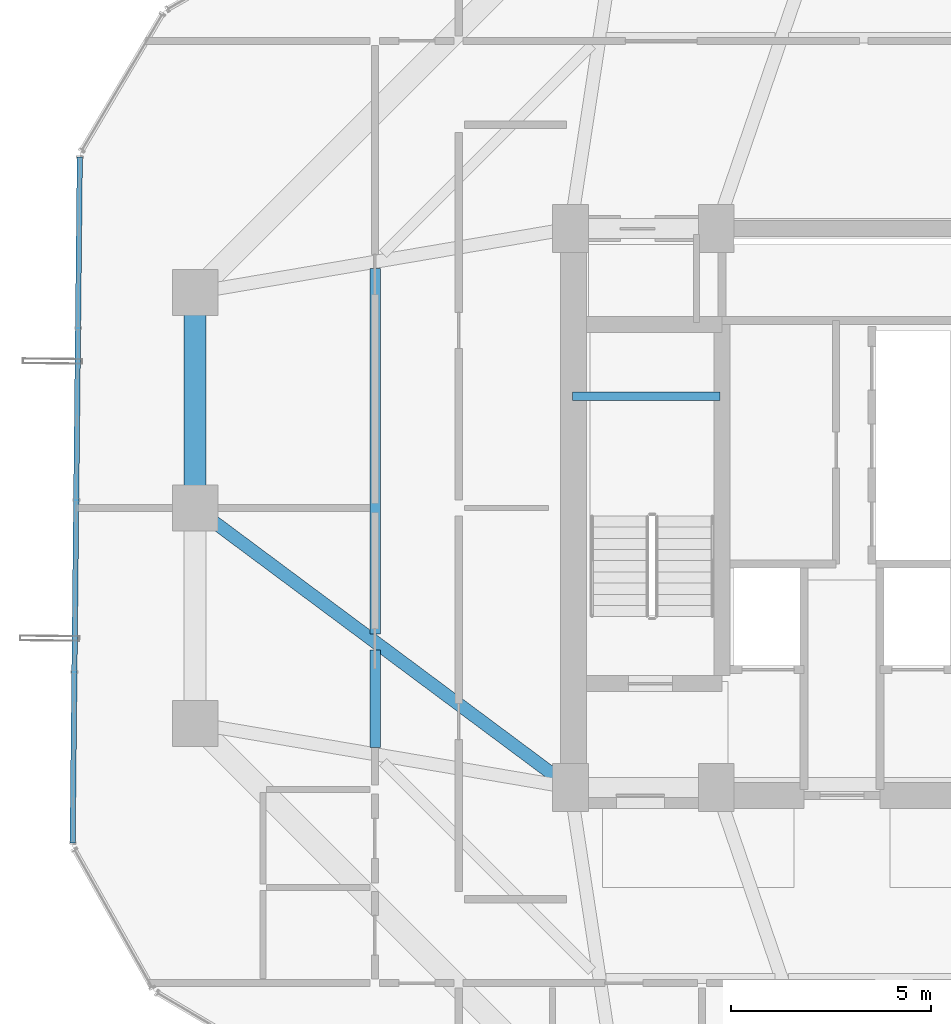
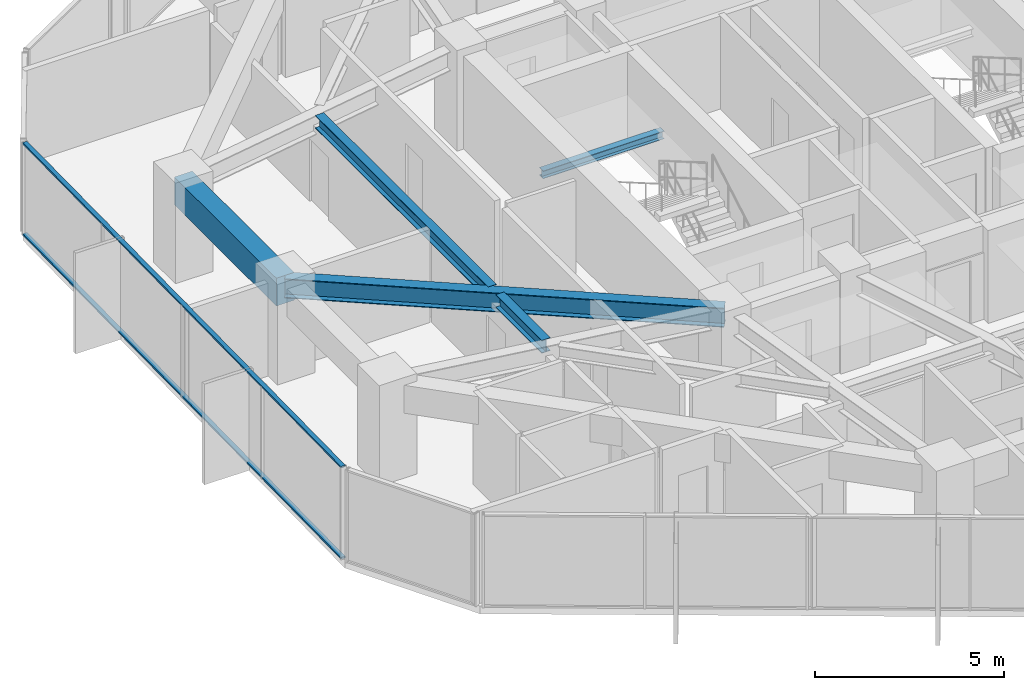
# One storey, part 10 of 30: 5 beams, 2 members, 1 element without a shape of its own.
"""IFC4 building model written with IfcOpenShell, lengths in metres."""

from ifc_helpers import new_model, si_unit, direction, frame, origin, origin_2d, place, context, subcontext, project, spatial, rectangle, hollow_rectangle, i_section, extrude, source, transform, mapped, material, layer, layer_set, material_profile, profile_set, type_object, element, aggregate, save


model = new_model("IFC4")

# Units and contexts
model_context = context("Model", 3, precision=1e-05, world=origin(), true_north=direction((0.0, 1.0)))
body_context = subcontext(model_context, "Body", "Model", "MODEL_VIEW")
ifc_project = project(units=[si_unit("LENGTHUNIT", "METRE"), si_unit("AREAUNIT", "SQUARE_METRE"), si_unit("VOLUMEUNIT", "CUBIC_METRE"), si_unit("PLANEANGLEUNIT", "RADIAN"), si_unit("MASSUNIT", "GRAM", prefix="KILO")], contexts=[model_context])

# Site, building, storey
site_placement = place(None, origin())
site = spatial("IfcSite", under=ifc_project, at=site_placement, CompositionType="ELEMENT")
building_placement = place(site_placement, origin())
building = spatial("IfcBuilding", under=site, at=building_placement, Name="Veraguas Prism Commons", CompositionType="ELEMENT")
storey_placement = place(building_placement, frame((0.0, 0.0, 126.25)))
storey = spatial("IfcBuildingStorey", under=building, at=storey_placement, Name="L35", CompositionType="ELEMENT", Elevation=126.25)

# Beams
ifc_material_1 = material(Name="Steel ASTM A992 Grade 50", Category="steel")
ifc_material_profile_1 = material_profile(ifc_material_1, i_section(OverallWidth=0.260986328125, OverallDepth=0.419921875, WebThickness=0.01171875, FlangeThickness=0.019287109375, at=origin_2d()), Name="W410X114")
ifc_profile_set_1 = profile_set([ifc_material_profile_1], Name="Steel ASTM A992 Grade 50")
beam_type_1 = type_object("IfcBeamType", Name="Lower Floor Joist W410x114", PredefinedType="JOIST", material=ifc_profile_set_1)
beam_1_placement = place(storey_placement, frame((12.31201171875, 30.003662109375, 2.7900390625), z_axis=(0.0, -1.0, 0.0), x_axis=(1.0, 0.0, 0.0)))
element("IfcBeam", 1, at=beam_1_placement, inside=storey, type_object=beam_type_1, Name="Composite Floor Joist L35-JS07", PredefinedType="JOIST", context=body_context, shape_type="SweptSolid", body=[
    extrude(i_section(OverallWidth=0.260986328125, OverallDepth=0.419921875, WebThickness=0.01171875, FlangeThickness=0.019287109375, at=origin_2d()), origin(), (0.0, 0.0, 1.0), 9.16162109375),
])
beam_2_placement = place(storey_placement, frame((12.31201171875, 20.43798828125, 2.7900390625), z_axis=(0.0, -1.0, 0.0), x_axis=(1.0, 0.0, 0.0)))
element("IfcBeam", 2, at=beam_2_placement, inside=storey, type_object=beam_type_1, Name="Composite Floor Joist L35-JS08", PredefinedType="JOIST", context=body_context, shape_type="SweptSolid", body=[
    extrude(i_section(OverallWidth=0.260986328125, OverallDepth=0.419921875, WebThickness=0.01171875, FlangeThickness=0.019287109375, at=origin_2d()), origin(), (0.0, 0.0, 1.0), 2.441650390625),
])
ifc_material_2 = material(Name="Concrete C50/60", Category="concrete")
ifc_material_profile_2 = material_profile(ifc_material_2, rectangle(XDim=0.550048828125, YDim=0.89990234375, at=origin_2d()), Name="RC550X900")
ifc_profile_set_2 = profile_set([ifc_material_profile_2], Name="Concrete C50/60")
beam_type_2 = type_object("IfcBeamType", Name="Perimeter Spandrel Lower RC 550x900", PredefinedType="SPANDREL", material=ifc_profile_set_2)
beam_3_placement = place(storey_placement, frame((7.800048828125, 29.39990234375, 2.550048828125), z_axis=(0.0, -1.0, 0.0), x_axis=(1.0, 0.0, 0.0)))
element("IfcBeam", 3, at=beam_3_placement, inside=storey, type_object=beam_type_2, Name="Perimeter Spandrel Beam L35-SP07", PredefinedType="SPANDREL", context=body_context, shape_type="SweptSolid", body=[
    extrude(rectangle(XDim=0.550048828125, YDim=0.89990234375, at=origin_2d()), origin(), (0.0, 0.0, 1.0), 5.39990234375),
])
ifc_material_profile_3 = material_profile(ifc_material_1, i_section(OverallWidth=0.202880859375, OverallDepth=0.251953125, WebThickness=0.008056640625, FlangeThickness=0.013427734375, at=origin_2d()), Name="W250X58")
ifc_profile_set_3 = profile_set([ifc_material_profile_3], Name="Steel ASTM A992 Grade 50")
beam_type_3 = type_object("IfcBeamType", Name="Structural Opening Lintel W250x58", PredefinedType="LINTEL", material=ifc_profile_set_3)
beam_4_placement = place(storey_placement, frame((17.25, 26.800048828125, 1.299072265625), z_axis=(1.0, 0.0, 0.0), x_axis=(0.0, 1.0, 0.0)))
element("IfcBeam", 4, at=beam_4_placement, inside=storey, type_object=beam_type_3, Name="Stair ST-01 Half-Landing Support Beam L35-1", PredefinedType="LINTEL", context=body_context, shape_type="SweptSolid", body=[
    extrude(i_section(OverallWidth=0.202880859375, OverallDepth=0.251953125, WebThickness=0.008056640625, FlangeThickness=0.013427734375, at=origin_2d()), origin(), (0.0, 0.0, 1.0), 3.699951171875),
])
ifc_material_profile_4 = material_profile(ifc_material_1, i_section(OverallWidth=0.327880859375, OverallDepth=0.6220703125, WebThickness=0.015380859375, FlangeThickness=0.0244140625, at=origin_2d()), Name="W610X195")
ifc_profile_set_4 = profile_set([ifc_material_profile_4], Name="Steel ASTM A992 Grade 50")
beam_type_4 = type_object("IfcBeamType", Name="Zone 2 Radial Girder W610x195", PredefinedType="BEAM", material=ifc_profile_set_4)
beam_5_placement = place(storey_placement, frame((7.800048828125, 24.0, 2.68896484375), z_axis=(0.802040137921, -0.597270137512, 0.0), x_axis=(0.597270137512, 0.802040137921, 0.0)))
element("IfcBeam", 5, at=beam_5_placement, inside=storey, type_object=beam_type_4, Name="Radial Floor Girder L35-RD08", PredefinedType="BEAM", context=body_context, shape_type="SweptSolid", body=[
    extrude(i_section(OverallWidth=0.327880859375, OverallDepth=0.6220703125, WebThickness=0.015380859375, FlangeThickness=0.0244140625, at=origin_2d()), origin(), (0.0, 0.0, 1.0), 11.719970703125),
])

# Curtain wall, members
ifc_material_3 = material(Name="Anodised aluminium EN AW-6063 T6", Category="aluminium")
ifc_layer = layer(ifc_material_3, 0.169921875, Name="Unitised Flush Curtain Wall Zone 2", Category="aluminium")
ifc_layer_set = layer_set([ifc_layer], Name="Anodised aluminium EN AW-6063 T6")
curtain_wall_type = type_object("IfcCurtainWallType", Name="Unitised Flush Curtain Wall Zone 2", PredefinedType="NOTDEFINED", material=ifc_layer_set)
curtain_wall_placement = place(storey_placement, origin())
curtain_wall = element("IfcCurtainWall", 6, at=curtain_wall_placement, inside=storey, type_object=curtain_wall_type, Name="Tower Facade Curtain Wall L35-F3", PredefinedType="NOTDEFINED")
ifc_material_profile_5 = material_profile(ifc_material_3, hollow_rectangle(XDim=0.054931640625, YDim=0.135009765625, WallThickness=0.0029296875, at=origin_2d()), Name="AL55X135X3")
ifc_profile_set_5 = profile_set([ifc_material_profile_5], Name="Anodised aluminium EN AW-6063 T6")
member_type = type_object("IfcMemberType", Name="Curtain Wall Transom Standard AL 55x135x3", PredefinedType="USERDEFINED", material=ifc_profile_set_5)
shared_shape = source(origin(), body_context, "Body", "SweptSolid", [
    extrude(hollow_rectangle(XDim=0.054931640625, YDim=0.135009765625, WallThickness=0.0029296875, at=origin_2d()), origin(), (0.0, 0.0, 1.0), 17.17431640625),
])
member_1_placement = place(storey_placement, frame((4.90869140625, 32.78759765625, 0.027587890625), z_axis=(-0.010491020815, -0.999944967727, 0.0), x_axis=(0.0, 0.0, 1.0)))
member_1 = element("IfcMember", 7, at=member_1_placement, type_object=member_type, Name="CW-Z2 Transom 1", ObjectType="TRANSOM", PredefinedType="USERDEFINED", context=body_context, shape_type="MappedRepresentation", body=[
    mapped(shared_shape, transform((0.0, 0.0, 0.0), scale=1.0)),
])
member_2_placement = place(storey_placement, frame((4.90869140625, 32.78759765625, 2.972412109375), z_axis=(-0.010491020815, -0.999944967727, 0.0), x_axis=(0.0, 0.0, 1.0)))
member_2 = element("IfcMember", 8, at=member_2_placement, type_object=member_type, Name="CW-Z2 Transom 2", ObjectType="TRANSOM", PredefinedType="USERDEFINED", context=body_context, shape_type="MappedRepresentation", body=[
    mapped(shared_shape, transform((0.0, 0.0, 0.0), scale=1.0)),
])
aggregate(curtain_wall, [member_1, member_2])

save(model, "model.ifc")
